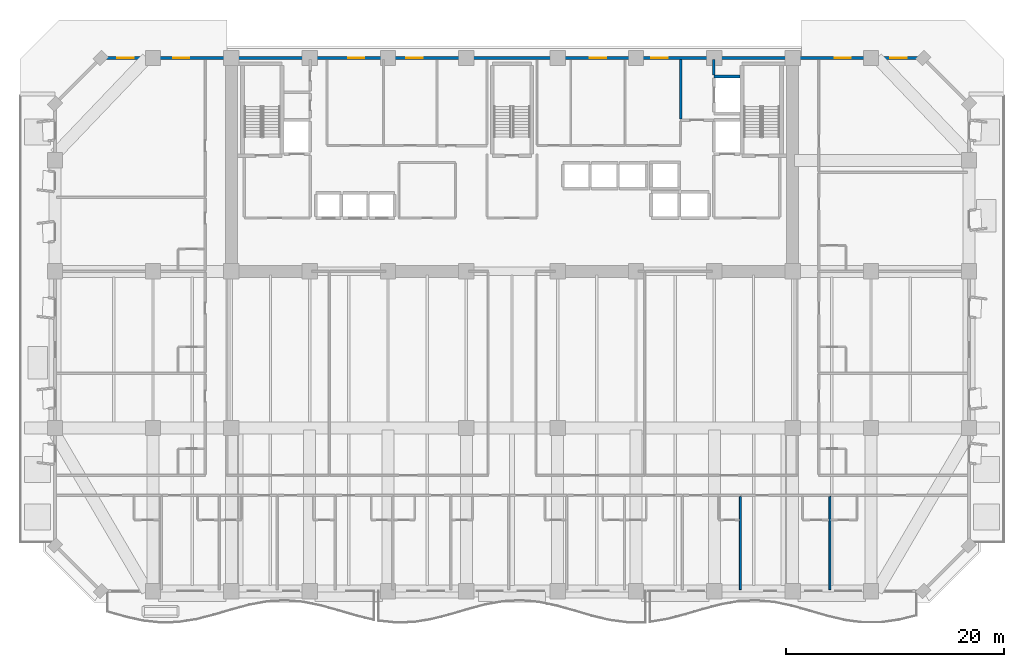
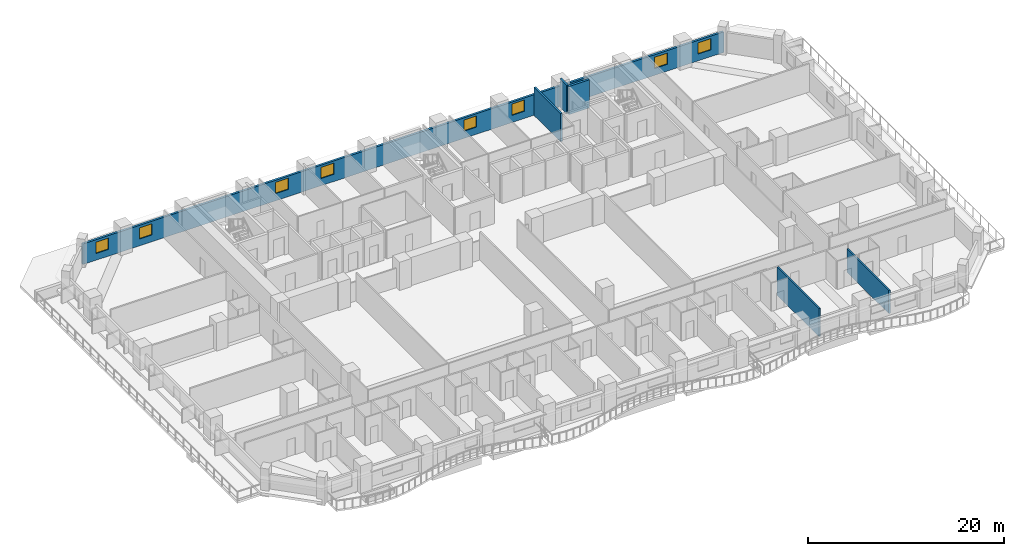
# One storey, part 11 of 17: 8 windows, 6 walls, 8 openings.
"""IFC4 building model written with IfcOpenShell, lengths in metres."""

from ifc_helpers import new_model, si_unit, direction, frame, frame_2d, origin, place, context, subcontext, project, spatial, rectangle, extrude, material, layer, layer_set, type_object, element, fill, save


model = new_model("IFC4")

# Units and contexts
model_context = context("Model", 3, precision=1e-05, world=origin(), true_north=direction((0.0, 1.0)))
body_context = subcontext(model_context, "Body", "Model", "MODEL_VIEW")
ifc_project = project(units=[si_unit("LENGTHUNIT", "METRE"), si_unit("AREAUNIT", "SQUARE_METRE"), si_unit("VOLUMEUNIT", "CUBIC_METRE"), si_unit("PLANEANGLEUNIT", "RADIAN"), si_unit("MASSUNIT", "GRAM", prefix="KILO")], contexts=[model_context])

# Site, building, storey
site_placement = place(None, origin())
site = spatial("IfcSite", under=ifc_project, at=site_placement, CompositionType="ELEMENT")
building_placement = place(site_placement, origin())
building = spatial("IfcBuilding", under=site, at=building_placement, Name="Kaelvorn Grand Hotel", CompositionType="ELEMENT")
storey_placement = place(building_placement, frame((0.0, 0.0, 31.39990234375)))
storey = spatial("IfcBuildingStorey", under=building, at=storey_placement, Name="L05", CompositionType="ELEMENT", Elevation=31.39990234375)

# Wall, openings, windows
ifc_material_1 = material(Name="Concrete C40/50", Category="concrete")
ifc_layer_1 = layer(ifc_material_1, 0.260009765625)
ifc_layer_set_1 = layer_set([ifc_layer_1], Name="Concrete C40/50")
wall_type_1 = type_object("IfcWallType", Name="WL-EXT-260-C40", PredefinedType="SOLIDWALL", material=ifc_layer_set_1)
wall_1_placement = place(storey_placement, frame((79.800048828125, 49.0, 0.0), z_axis=(0.0, 0.0, 1.0), x_axis=(-1.0, 0.0, 0.0)))
wall_1 = element("IfcWall", 1, at=wall_1_placement, inside=storey, type_object=wall_type_1, Name="L05 Exterior Architectural Concrete Wall 05", PredefinedType="SOLIDWALL", context=body_context, shape_type="SweptSolid", body=[
    extrude(rectangle(XDim=75.60009765625, YDim=0.260009765625, at=frame_2d((37.800048828125, 0.0))), origin(), (0.0, 0.0, 1.0), 2.56005859375),
])
opening_1_placement = place(wall_1_placement, frame((72.56494140625, 0.0, 0.85009765625)))
opening_1 = element("IfcOpeningElement", 2, at=opening_1_placement, cuts=wall_1, Name="Opening W10", PredefinedType="OPENING", context=body_context, shape_type="SweptSolid", body=[
    extrude(rectangle(XDim=1.5, YDim=1.39990234375, at=frame_2d((0.75, 0.699951171875))), frame((0.0, 0.14013671875, 0.0), z_axis=(0.0, -1.0, 0.0), x_axis=(1.0, 0.0, 0.0)), (0.0, 0.0, 1.0), 0.280029296875),
])
opening_2_placement = place(wall_1_placement, frame((67.449951171875, 0.0, 0.85009765625)))
opening_2 = element("IfcOpeningElement", 3, at=opening_2_placement, cuts=wall_1, Name="Opening W10", PredefinedType="OPENING", context=body_context, shape_type="SweptSolid", body=[
    extrude(rectangle(XDim=1.5, YDim=1.39990234375, at=frame_2d((0.75, 0.699951171875))), frame((0.0, 0.14013671875, 0.0), z_axis=(0.0, -1.0, 0.0), x_axis=(1.0, 0.0, 0.0)), (0.0, 0.0, 1.0), 0.280029296875),
])
opening_3_placement = place(wall_1_placement, frame((6.64990234375, 0.0, 0.85009765625)))
opening_3 = element("IfcOpeningElement", 4, at=opening_3_placement, cuts=wall_1, Name="Opening W10", PredefinedType="OPENING", context=body_context, shape_type="SweptSolid", body=[
    extrude(rectangle(XDim=1.5, YDim=1.39990234375, at=frame_2d((0.75, 0.699951171875))), frame((0.0, 0.14013671875, 0.0), z_axis=(0.0, -1.0, 0.0), x_axis=(1.0, 0.0, 0.0)), (0.0, 0.0, 1.0), 0.280029296875),
])
opening_4_placement = place(wall_1_placement, frame((1.534912109375, 0.0, 0.85009765625)))
opening_4 = element("IfcOpeningElement", 5, at=opening_4_placement, cuts=wall_1, Name="Opening W10", PredefinedType="OPENING", context=body_context, shape_type="SweptSolid", body=[
    extrude(rectangle(XDim=1.5, YDim=1.39990234375, at=frame_2d((0.75, 0.699951171875))), frame((0.0, 0.14013671875, 0.0), z_axis=(0.0, -1.0, 0.0), x_axis=(1.0, 0.0, 0.0)), (0.0, 0.0, 1.0), 0.280029296875),
])
opening_5_placement = place(wall_1_placement, frame((51.364990234375, 0.0, 0.89990234375)))
opening_5 = element("IfcOpeningElement", 6, at=opening_5_placement, cuts=wall_1, Name="Opening W10", PredefinedType="OPENING", context=body_context, shape_type="SweptSolid", body=[
    extrude(rectangle(XDim=1.5, YDim=1.39990234375, at=frame_2d((0.75, 0.699951171875))), frame((0.0, 0.14013671875, 0.0), z_axis=(0.0, -1.0, 0.0), x_axis=(1.0, 0.0, 0.0)), (0.0, 0.0, 1.0), 0.280029296875),
])
opening_6_placement = place(wall_1_placement, frame((46.0, 0.0, 0.89990234375)))
opening_6 = element("IfcOpeningElement", 7, at=opening_6_placement, cuts=wall_1, Name="Opening W10", PredefinedType="OPENING", context=body_context, shape_type="SweptSolid", body=[
    extrude(rectangle(XDim=1.5, YDim=1.39990234375, at=frame_2d((0.75, 0.699951171875))), frame((0.0, 0.14013671875, 0.0), z_axis=(0.0, -1.0, 0.0), x_axis=(1.0, 0.0, 0.0)), (0.0, 0.0, 1.0), 0.280029296875),
])
opening_7_placement = place(wall_1_placement, frame((29.14990234375, 0.0, 0.89990234375)))
opening_7 = element("IfcOpeningElement", 8, at=opening_7_placement, cuts=wall_1, Name="Opening W10", PredefinedType="OPENING", context=body_context, shape_type="SweptSolid", body=[
    extrude(rectangle(XDim=1.5, YDim=1.39990234375, at=frame_2d((0.75, 0.699951171875))), frame((0.0, 0.14013671875, 0.0), z_axis=(0.0, -1.0, 0.0), x_axis=(1.0, 0.0, 0.0)), (0.0, 0.0, 1.0), 0.280029296875),
])
opening_8_placement = place(wall_1_placement, frame((23.485107421875, 0.0, 0.89990234375)))
opening_8 = element("IfcOpeningElement", 9, at=opening_8_placement, cuts=wall_1, Name="Opening W10", PredefinedType="OPENING", context=body_context, shape_type="SweptSolid", body=[
    extrude(rectangle(XDim=1.5, YDim=1.39990234375, at=frame_2d((0.75, 0.699951171875))), frame((0.0, 0.14013671875, 0.0), z_axis=(0.0, -1.0, 0.0), x_axis=(1.0, 0.0, 0.0)), (0.0, 0.0, 1.0), 0.280029296875),
])
ifc_material_2 = material(Name="Laminated Low-E Glass", Category="glass")
window_type = type_object("IfcWindowType", Name="WIN-COR-1500x1400", PartitioningType="SINGLE_PANEL", PredefinedType="WINDOW", material=ifc_material_2)
window_1_placement = place(opening_1_placement, origin())
window_1 = element("IfcWindow", 10, at=window_1_placement, inside=storey, type_object=window_type, Name="L05 North Wing Ribbon Window NW01", OverallHeight=1.39990234375, OverallWidth=1.5, PartitioningType="SINGLE_PANEL", PredefinedType="WINDOW", context=body_context, shape_type="SweptSolid", body=[
    extrude(rectangle(XDim=1.5, YDim=1.39990234375, at=frame_2d((0.75, 0.699951171875))), frame((0.0, 0.030029296875, 0.0), z_axis=(0.0, -1.0, 0.0), x_axis=(1.0, 0.0, 0.0)), (0.0, 0.0, 1.0), 0.06005859375),
])
fill(opening_1, window_1)
window_2_placement = place(opening_2_placement, origin())
window_2 = element("IfcWindow", 11, at=window_2_placement, inside=storey, type_object=window_type, Name="L05 North Wing Ribbon Window NW02", OverallHeight=1.39990234375, OverallWidth=1.5, PartitioningType="SINGLE_PANEL", PredefinedType="WINDOW", context=body_context, shape_type="SweptSolid", body=[
    extrude(rectangle(XDim=1.5, YDim=1.39990234375, at=frame_2d((0.75, 0.699951171875))), frame((0.0, 0.030029296875, 0.0), z_axis=(0.0, -1.0, 0.0), x_axis=(1.0, 0.0, 0.0)), (0.0, 0.0, 1.0), 0.06005859375),
])
fill(opening_2, window_2)
window_3_placement = place(opening_3_placement, origin())
window_3 = element("IfcWindow", 12, at=window_3_placement, inside=storey, type_object=window_type, Name="L05 North Wing Ribbon Window NW03", OverallHeight=1.39990234375, OverallWidth=1.5, PartitioningType="SINGLE_PANEL", PredefinedType="WINDOW", context=body_context, shape_type="SweptSolid", body=[
    extrude(rectangle(XDim=1.5, YDim=1.39990234375, at=frame_2d((0.75, 0.699951171875))), frame((0.0, 0.030029296875, 0.0), z_axis=(0.0, -1.0, 0.0), x_axis=(1.0, 0.0, 0.0)), (0.0, 0.0, 1.0), 0.06005859375),
])
fill(opening_3, window_3)
window_4_placement = place(opening_4_placement, origin())
window_4 = element("IfcWindow", 13, at=window_4_placement, inside=storey, type_object=window_type, Name="L05 North Wing Ribbon Window NW04", OverallHeight=1.39990234375, OverallWidth=1.5, PartitioningType="SINGLE_PANEL", PredefinedType="WINDOW", context=body_context, shape_type="SweptSolid", body=[
    extrude(rectangle(XDim=1.5, YDim=1.39990234375, at=frame_2d((0.75, 0.699951171875))), frame((0.0, 0.030029296875, 0.0), z_axis=(0.0, -1.0, 0.0), x_axis=(1.0, 0.0, 0.0)), (0.0, 0.0, 1.0), 0.06005859375),
])
fill(opening_4, window_4)
window_5_placement = place(opening_5_placement, origin())
window_5 = element("IfcWindow", 14, at=window_5_placement, inside=storey, type_object=window_type, Name="L05 North Core Clerestory Ribbon Window NC05", OverallHeight=1.39990234375, OverallWidth=1.5, PartitioningType="SINGLE_PANEL", PredefinedType="WINDOW", context=body_context, shape_type="SweptSolid", body=[
    extrude(rectangle(XDim=1.5, YDim=1.39990234375, at=frame_2d((0.75, 0.699951171875))), frame((0.0, 0.030029296875, 0.0), z_axis=(0.0, -1.0, 0.0), x_axis=(1.0, 0.0, 0.0)), (0.0, 0.0, 1.0), 0.06005859375),
])
fill(opening_5, window_5)
window_6_placement = place(opening_6_placement, origin())
window_6 = element("IfcWindow", 15, at=window_6_placement, inside=storey, type_object=window_type, Name="L05 North Core Clerestory Ribbon Window NC06", OverallHeight=1.39990234375, OverallWidth=1.5, PartitioningType="SINGLE_PANEL", PredefinedType="WINDOW", context=body_context, shape_type="SweptSolid", body=[
    extrude(rectangle(XDim=1.5, YDim=1.39990234375, at=frame_2d((0.75, 0.699951171875))), frame((0.0, 0.030029296875, 0.0), z_axis=(0.0, -1.0, 0.0), x_axis=(1.0, 0.0, 0.0)), (0.0, 0.0, 1.0), 0.06005859375),
])
fill(opening_6, window_6)
window_7_placement = place(opening_7_placement, origin())
window_7 = element("IfcWindow", 16, at=window_7_placement, inside=storey, type_object=window_type, Name="L05 North Core Clerestory Ribbon Window NC07", OverallHeight=1.39990234375, OverallWidth=1.5, PartitioningType="SINGLE_PANEL", PredefinedType="WINDOW", context=body_context, shape_type="SweptSolid", body=[
    extrude(rectangle(XDim=1.5, YDim=1.39990234375, at=frame_2d((0.75, 0.699951171875))), frame((0.0, 0.030029296875, 0.0), z_axis=(0.0, -1.0, 0.0), x_axis=(1.0, 0.0, 0.0)), (0.0, 0.0, 1.0), 0.06005859375),
])
fill(opening_7, window_7)
window_8_placement = place(opening_8_placement, origin())
window_8 = element("IfcWindow", 17, at=window_8_placement, inside=storey, type_object=window_type, Name="L05 North Core Clerestory Ribbon Window NC08", OverallHeight=1.39990234375, OverallWidth=1.5, PartitioningType="SINGLE_PANEL", PredefinedType="WINDOW", context=body_context, shape_type="SweptSolid", body=[
    extrude(rectangle(XDim=1.5, YDim=1.39990234375, at=frame_2d((0.75, 0.699951171875))), frame((0.0, 0.030029296875, 0.0), z_axis=(0.0, -1.0, 0.0), x_axis=(1.0, 0.0, 0.0)), (0.0, 0.0, 1.0), 0.06005859375),
])
fill(opening_8, window_8)

# Walls
ifc_material_3 = material(Name="Acoustic Gypsum & Stud Partition")
ifc_layer_2 = layer(ifc_material_3, 0.179931640625)
ifc_layer_set_2 = layer_set([ifc_layer_2], Name="Acoustic Gypsum & Stud Partition")
wall_type_2 = type_object("IfcWallType", Name="WL-PART-180-EI60", PredefinedType="PARTITIONING", material=ifc_layer_set_2)
wall_2_placement = place(storey_placement, frame((62.98388671875, 0.14990234375, 0.0), z_axis=(0.0, 0.0, 1.0), x_axis=(0.0, 1.0, 0.0)))
element("IfcWall", 18, at=wall_2_placement, inside=storey, type_object=wall_type_2, Name="L05 Deluxe King Guest Room L05-11 E Partition", PredefinedType="PARTITIONING", context=body_context, shape_type="SweptSolid", body=[
    extrude(rectangle(XDim=8.55517578125, YDim=0.179931640625, at=frame_2d((4.277587890625, 0.0))), origin(), (0.0, 0.0, 1.0), 3.510009765625),
])
wall_3_placement = place(storey_placement, frame((71.216796875, 0.14990234375, 0.0), z_axis=(0.0, 0.0, 1.0), x_axis=(0.0, 1.0, 0.0)))
element("IfcWall", 19, at=wall_3_placement, inside=storey, type_object=wall_type_2, Name="L05 Deluxe King Guest Room L05-12 E Partition", PredefinedType="PARTITIONING", context=body_context, shape_type="SweptSolid", body=[
    extrude(rectangle(XDim=8.55517578125, YDim=0.179931640625, at=frame_2d((4.277587890625, 0.0))), origin(), (0.0, 0.0, 1.0), 2.89794921875),
])
ifc_layer_3 = layer(ifc_material_1, 0.219970703125)
ifc_layer_set_3 = layer_set([ifc_layer_3], Name="Concrete C40/50")
wall_type_3 = type_object("IfcWallType", Name="WL-PART-220-EI120", PredefinedType="PARTITIONING", material=ifc_layer_set_3)
wall_4_placement = place(storey_placement, frame((57.5, 43.4150390625, 0.0), z_axis=(0.0, 0.0, 1.0), x_axis=(0.0, 1.0, 0.0)))
element("IfcWall", 20, at=wall_4_placement, inside=storey, type_object=wall_type_3, Name="L05 Service Lift Lobby W Partition", PredefinedType="PARTITIONING", context=body_context, shape_type="SweptSolid", body=[
    extrude(rectangle(XDim=5.43505859375, YDim=0.219970703125, at=frame_2d((2.717529296875, 0.0))), origin(), (0.0, 0.0, 1.0), 3.510009765625),
])
wall_5_placement = place(storey_placement, frame((60.550048828125, 47.445068359375, 0.0), z_axis=(0.0, 0.0, 1.0), x_axis=(0.0, 1.0, 0.0)))
element("IfcWall", 21, at=wall_5_placement, inside=storey, type_object=wall_type_3, Name="L05 Service Lift Lobby E Partition", PredefinedType="PARTITIONING", context=body_context, shape_type="SweptSolid", body=[
    extrude(rectangle(XDim=1.405029296875, YDim=0.219970703125, at=frame_2d((0.70263671875, 0.0))), origin(), (0.0, 0.0, 1.0), 3.510009765625),
])
ifc_material_4 = material(Name="Concrete C50/60", Category="concrete")
ifc_layer_4 = layer(ifc_material_4, 0.280029296875)
ifc_layer_set_4 = layer_set([ifc_layer_4], Name="Concrete C50/60")
wall_type_4 = type_object("IfcWallType", Name="WL-SHAFT-280-C50", PredefinedType="SHEAR", material=ifc_layer_set_4)
wall_6_placement = place(storey_placement, frame((60.550048828125, 47.300048828125, 0.0), z_axis=(0.0, 0.0, 1.0), x_axis=(1.0, 0.0, 0.0)))
element("IfcWall", 22, at=wall_6_placement, inside=storey, type_object=wall_type_4, Name="L05 Lift SV1 Shaft North Wall", PredefinedType="SHEAR", context=body_context, shape_type="SweptSolid", body=[
    extrude(rectangle(XDim=2.4150390625, YDim=0.280029296875, at=frame_2d((1.20751953125, 0.0))), origin(), (0.0, 0.0, 1.0), 3.510009765625),
])

save(model, "model.ifc")
